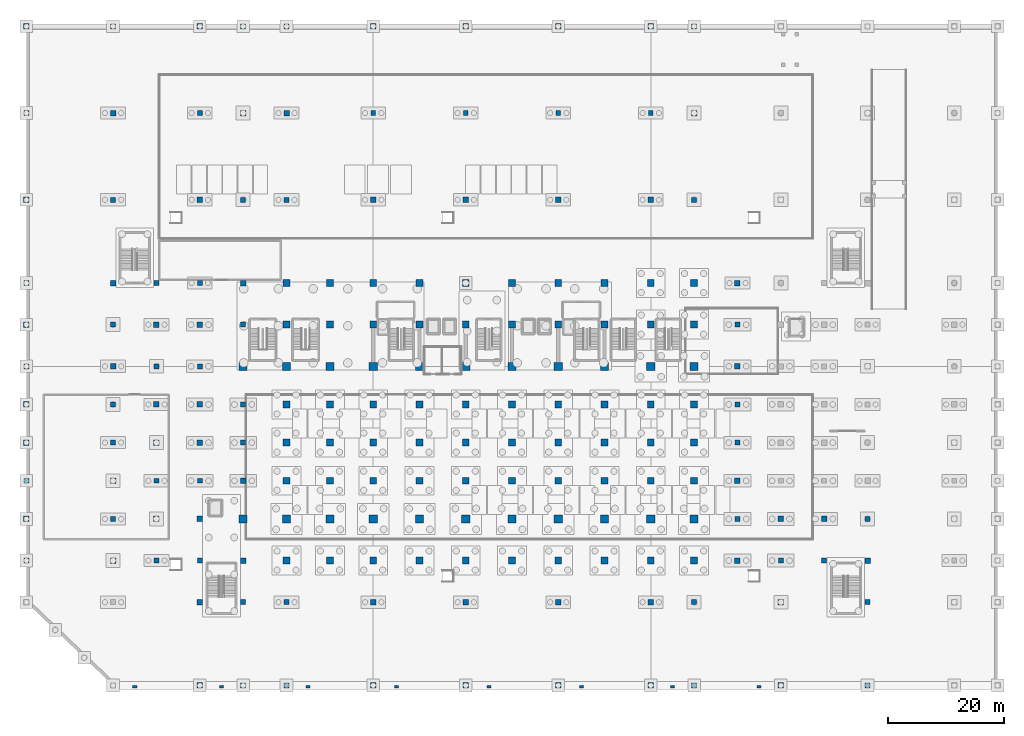
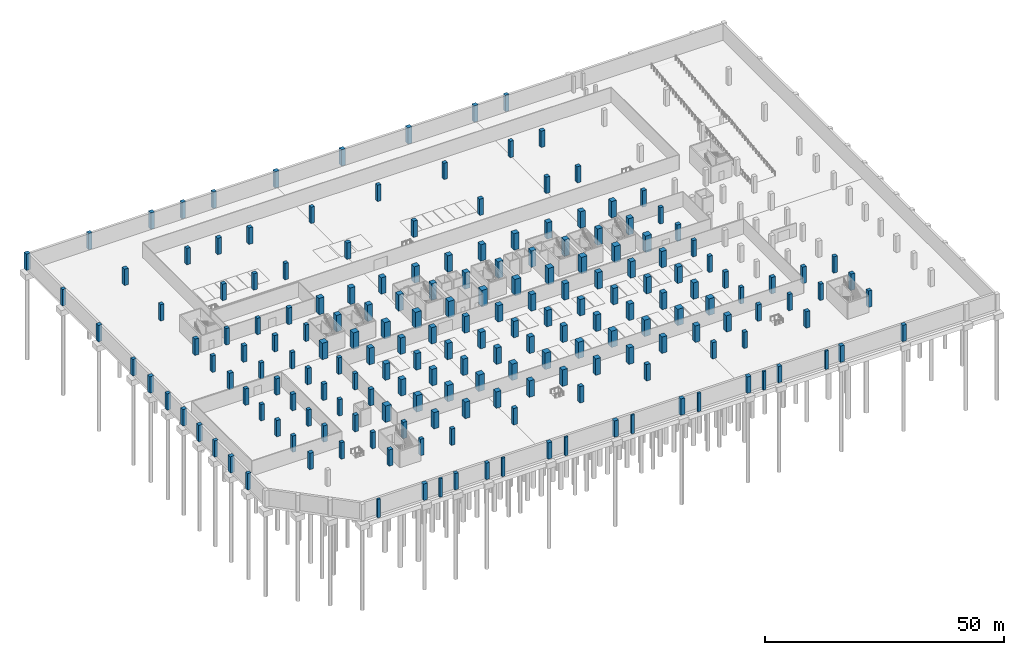
# One storey, part 5 of 26: 192 columns.
"""IFC4 building model written with IfcOpenShell, lengths in metres."""

import ifcopenshell
import ifcopenshell.guid

model = None  # the IFC model being written
_history = None  # IfcOwnerHistory: only IFC2X3 demands one
_inside = {}  # id of a spatial element -> (the spatial element, [elements in it])
_under = {}  # id of a project, library or spatial element -> (it, [spatial elements below it])
_declared = {}  # id of a project -> (the project, [libraries it declares])
_typed = {}  # id of a type object -> (the type object, [elements of that type])
_made_of = {}  # id of a material, layer set ... -> (it, [elements and type objects made of it])


def new_model(schema):
    """Start an empty IFC model of exactly this schema.

    Asked for "IFC4X3", IfcOpenShell would pick the latest addendum, in which some entities
    have other attributes; the version numbers below select the first issue.
    IFC2X3 requires an IfcOwnerHistory on every rooted entity: one is made here for all.
    """
    global model, _history
    if schema == "IFC4X3":
        model = ifcopenshell.file(schema_version=(4, 3, 0, 0))
    else:
        model = ifcopenshell.file(schema=schema)
    _inside.clear()
    _under.clear()
    _declared.clear()
    _typed.clear()
    _made_of.clear()
    _history = None
    if model.schema == "IFC2X3":
        org = make("IfcOrganization", Name="unknown")
        user = make(
            "IfcPersonAndOrganization",
            ThePerson=make("IfcPerson", FamilyName="unknown"),
            TheOrganization=org,
        )
        app = make(
            "IfcApplication",
            ApplicationDeveloper=org,
            Version="unknown",
            ApplicationFullName="unknown",
            ApplicationIdentifier="unknown",
        )
        _history = make(
            "IfcOwnerHistory",
            OwningUser=user,
            OwningApplication=app,
            ChangeAction="ADDED",
            CreationDate=0,
        )
    return model


def make(cls, **values):
    """One entity of the class cls with the attributes given. An attribute that is None is left unset."""
    return model.create_entity(
        cls, **{name: value for name, value in values.items() if value is not None}
    )


def rooted(cls, **values):
    """An entity with a GlobalId (a new one), such as an element, a storey or a relation."""
    return make(cls, GlobalId=ifcopenshell.guid.new(), OwnerHistory=_history, **values)


def si_unit(unit_type, name, prefix=None):
    """IfcSIUnit, for example si_unit("LENGTHUNIT", "METRE", prefix="MILLI")."""
    return make("IfcSIUnit", UnitType=unit_type, Prefix=prefix, Name=name)


def assignment(units):
    """IfcUnitAssignment: the units of a project."""
    return None if units is None else make("IfcUnitAssignment", Units=units)


def point(xyz):
    """IfcCartesianPoint."""
    return None if xyz is None else make("IfcCartesianPoint", Coordinates=xyz)


def direction(xyz):
    """IfcDirection."""
    return None if xyz is None else make("IfcDirection", DirectionRatios=xyz)


def frame(location, z_axis=None, x_axis=None):
    """IfcAxis2Placement3D, a coordinate frame: its origin and axes. An axis left out is left unset."""
    return make(
        "IfcAxis2Placement3D",
        Location=point(location),
        Axis=direction(z_axis),
        RefDirection=direction(x_axis),
    )


def frame_2d(location, x_axis=None):
    """IfcAxis2Placement2D, a coordinate frame in the plane: its origin and x axis."""
    return make(
        "IfcAxis2Placement2D", Location=point(location), RefDirection=direction(x_axis)
    )


def origin():
    """The frame at (0, 0, 0) with its axes left unset."""
    return frame((0.0, 0.0, 0.0))


def origin_2d():
    """The frame at (0, 0) in the plane with its x axis left unset."""
    return frame_2d((0.0, 0.0))


def place(relative_to, where):
    """IfcLocalPlacement: puts the frame where relative to a parent placement (None: the world)."""
    return make(
        "IfcLocalPlacement", PlacementRelTo=relative_to, RelativePlacement=where
    )


def context(
    kind, dimensions, precision=None, world=None, true_north=None, identifier=None
):
    """IfcGeometricRepresentationContext, for example the 3D "Model" context."""
    return make(
        "IfcGeometricRepresentationContext",
        ContextIdentifier=identifier,
        ContextType=kind,
        CoordinateSpaceDimension=dimensions,
        Precision=precision,
        WorldCoordinateSystem=world,
        TrueNorth=true_north,
    )


def subcontext(parent, identifier, kind, view, scale=None):
    """IfcGeometricRepresentationSubContext, for example "Body" below "Model"."""
    return make(
        "IfcGeometricRepresentationSubContext",
        ContextIdentifier=identifier,
        ContextType=kind,
        ParentContext=parent,
        TargetScale=scale,
        TargetView=view,
    )


def project(units=None, contexts=None):
    """IfcProject with its units and contexts."""
    return rooted(
        "IfcProject",
        Name="project",
        RepresentationContexts=contexts,
        UnitsInContext=assignment(units),
    )


def spatial(cls, under=None, at=None, **own):
    """A site, building, storey or space (cls), placed at a placement, below another one or the project."""
    s = rooted(cls, ObjectPlacement=at, **own)
    if under is not None:
        _under.setdefault(under.id(), (under, []))[1].append(s)
    return s


def profile(cls, at=None, kind="AREA", **sizes):
    """A parametric profile (cls). Its sizes go by their IFC names, for example OverallWidth=200.0."""
    return make(cls, ProfileType=kind, Position=at, **sizes)


def rectangle(**sizes):
    """IfcRectangleProfileDef."""
    return profile("IfcRectangleProfileDef", **sizes)


def extrude(swept, where, along, depth):
    """IfcExtrudedAreaSolid: the profile swept, set in the frame where, extruded along a direction by depth."""
    return make(
        "IfcExtrudedAreaSolid",
        SweptArea=swept,
        Position=where,
        ExtrudedDirection=direction(along),
        Depth=depth,
    )


def shape(context_of_items, identifier, shape_type, items):
    """IfcShapeRepresentation: the items that make up one representation, for example the "Body"."""
    return make(
        "IfcShapeRepresentation",
        ContextOfItems=context_of_items,
        RepresentationIdentifier=identifier,
        RepresentationType=shape_type,
        Items=items,
    )


def material(Name=None, Category=None):
    """IfcMaterial."""
    return make("IfcMaterial", Name=Name, Category=Category)


def material_profile(
    of_material, cross_section, Name=None, Category=None, Priority=None
):
    """IfcMaterialProfile: a cross section and its material."""
    return make(
        "IfcMaterialProfile",
        Name=Name,
        Material=of_material,
        Profile=cross_section,
        Priority=Priority,
        Category=Category,
    )


def profile_set(profiles, Name=None, composite=None):
    """IfcMaterialProfileSet."""
    return make(
        "IfcMaterialProfileSet",
        Name=Name,
        MaterialProfiles=profiles,
        CompositeProfile=composite,
    )


def made_of(thing, what):
    """Note that an element or type object is made of a material, layer set ...; save() writes the relation."""
    if what is not None:
        _made_of.setdefault(what.id(), (what, []))[1].append(thing)
    return thing


def type_object(cls, material=None, **own):
    """A type object (cls), such as IfcWallType, which elements share."""
    return made_of(rooted(cls, **own), material)


def element(
    cls,
    number,
    at=None,
    inside=None,
    cuts=None,
    type_object=None,
    material=None,
    context=None,
    identifier="Body",
    shape_type=None,
    held_by="IfcProductDefinitionShape",
    body=None,
    shapes=None,
    **own,
):
    """One element of the class cls, such as IfcWall. Its Tag is "e" and its number.

    at: its placement. inside: the storey or other place that contains it. cuts: it is an
    opening in that element (IfcRelVoidsElement). A single representation is given by context,
    identifier, shape_type and body (its items); several are given by shapes. held_by: the class
    of the entity that holds the representations. save() writes the other relations.
    """
    e = rooted(cls, Tag="e%d" % number, ObjectPlacement=at, **own)
    if body is not None:
        shapes = [shape(context, identifier, shape_type, body)]
    if shapes is not None:
        e.Representation = make(held_by, Representations=shapes)
    if inside is not None:
        _inside.setdefault(inside.id(), (inside, []))[1].append(e)
    if cuts is not None:
        rooted(
            "IfcRelVoidsElement", RelatingBuildingElement=cuts, RelatedOpeningElement=e
        )
    if type_object is not None:
        _typed.setdefault(type_object.id(), (type_object, []))[1].append(e)
    return made_of(e, material)


def aggregate(whole, parts):
    """IfcRelAggregates: a whole, such as a stair, and the parts it consists of."""
    return rooted("IfcRelAggregates", RelatingObject=whole, RelatedObjects=parts)


def save(model, path):
    """Write the relations noted so far, then the file.

    IfcRelAggregates (storeys below a building ...), IfcRelContainedInSpatialStructure (elements
    in a storey), IfcRelDefinesByType, IfcRelAssociatesMaterial and IfcRelDeclares: one each for
    every whole, place, type object, material and project.
    """
    for whole, parts in _under.values():
        aggregate(whole, parts)
    for where, things in _inside.values():
        rooted(
            "IfcRelContainedInSpatialStructure",
            RelatedElements=things,
            RelatingStructure=where,
        )
    for kind, things in _typed.values():
        rooted("IfcRelDefinesByType", RelatedObjects=things, RelatingType=kind)
    for what, things in _made_of.values():
        rooted("IfcRelAssociatesMaterial", RelatedObjects=things, RelatingMaterial=what)
    for by, libraries in _declared.values():
        rooted("IfcRelDeclares", RelatingContext=by, RelatedDefinitions=libraries)
    model.write(path)


model = new_model("IFC4")

# Units and contexts
model_context = context("Model", 3, precision=1e-05, world=origin(), true_north=direction((0.0, 1.0)))
body_context = subcontext(model_context, "Body", "Model", "MODEL_VIEW")
ifc_project = project(units=[si_unit("LENGTHUNIT", "METRE"), si_unit("AREAUNIT", "SQUARE_METRE"), si_unit("VOLUMEUNIT", "CUBIC_METRE"), si_unit("PLANEANGLEUNIT", "RADIAN"), si_unit("MASSUNIT", "GRAM", prefix="KILO")], contexts=[model_context])

# Site, building, storey
site_placement = place(None, origin())
site = spatial("IfcSite", under=ifc_project, at=site_placement, CompositionType="ELEMENT")
building_placement = place(site_placement, origin())
building = spatial("IfcBuilding", under=site, at=building_placement, Name="Akrevak Sports Hall", CompositionType="ELEMENT")
storey_placement = place(building_placement, frame((0.0, 0.0, -9.0)))
storey = spatial("IfcBuildingStorey", under=building, at=storey_placement, Name="B02", CompositionType="ELEMENT", Elevation=-9.0)

# Columns
ifc_material_1 = material(Name="Concrete C50/60", Category="concrete")
ifc_material_profile_1 = material_profile(ifc_material_1, rectangle(XDim=1.199951171875, YDim=1.199951171875, at=origin_2d()), Name="RC 1200x1200", Category="concrete")
ifc_profile_set_1 = profile_set([ifc_material_profile_1], Name="Concrete C50/60")
column_type_1 = type_object("IfcColumnType", Name="STR-COL-RC1200", PredefinedType="COLUMN", material=ifc_profile_set_1)
for number, where, z_axis, x_axis, name in (
    (1, (45.0, 21.60009765625, 0.0), (0.0, 0.0, 1.0), (1.0, 0.0, 0.0), "Column 7/D (B02)"),
    (2, (45.0, 35.39990234375, 0.0), (0.0, 0.0, 1.0), (1.0, 0.0, 0.0), "Column 7/F (B02)"),
    (3, (45.0, 42.0, 0.0), (0.0, 0.0, 1.0), (1.0, 0.0, 0.0), "Column 7/G (B02)"),
    (4, (45.0, 48.60009765625, 0.0), (0.0, 0.0, 1.0), (1.0, 0.0, 0.0), "Column 7/H (B02)"),
    (5, (45.0, 62.39990234375, 0.0), (0.0, 0.0, 1.0), (1.0, 0.0, 0.0), "Column 7/J (B02)"),
    (6, (45.0, 69.60009765625, 0.0), (0.0, 0.0, 1.0), (1.0, 0.0, 0.0), "Column 7/K (B02)"),
    (7, (52.5, 21.60009765625, 0.0), (0.0, 0.0, 1.0), (1.0, 0.0, 0.0), "Column 8/D (B02)"),
    (8, (52.5, 35.39990234375, 0.0), (0.0, 0.0, 1.0), (1.0, 0.0, 0.0), "Column 8/F (B02)"),
    (9, (52.5, 42.0, 0.0), (0.0, 0.0, 1.0), (1.0, 0.0, 0.0), "Column 8/G (B02)"),
    (10, (52.5, 48.60009765625, 0.0), (0.0, 0.0, 1.0), (1.0, 0.0, 0.0), "Column 8/H (B02)"),
    (11, (52.5, 62.39990234375, 0.0), (0.0, 0.0, 1.0), (1.0, 0.0, 0.0), "Column 8/J (B02)"),
    (12, (52.5, 69.60009765625, 0.0), (0.0, 0.0, 1.0), (1.0, 0.0, 0.0), "Column 8/K (B02)"),
    (13, (60.0, 21.60009765625, 0.0), (0.0, 0.0, 1.0), (1.0, 0.0, 0.0), "Column 9/D (B02)"),
    (14, (60.0, 35.39990234375, 0.0), (0.0, 0.0, 1.0), (1.0, 0.0, 0.0), "Column 9/F (B02)"),
    (15, (60.0, 42.0, 0.0), (0.0, 0.0, 1.0), (1.0, 0.0, 0.0), "Column 9/G (B02)"),
    (16, (60.0, 48.60009765625, 0.0), (0.0, 0.0, 1.0), (1.0, 0.0, 0.0), "Column 9/H (B02)"),
    (17, (60.0, 62.39990234375, 0.0), (0.0, 0.0, 1.0), (1.0, 0.0, 0.0), "Column 9/J (B02)"),
    (18, (60.0, 69.60009765625, 0.0), (0.0, 0.0, 1.0), (1.0, 0.0, 0.0), "Column 9/K (B02)"),
    (19, (68.0, 21.60009765625, 0.0), (0.0, 0.0, 1.0), (1.0, 0.0, 0.0), "Column 10/D (B02)"),
    (20, (68.0, 35.39990234375, 0.0), (0.0, 0.0, 1.0), (1.0, 0.0, 0.0), "Column 10/F (B02)"),
    (21, (68.0, 42.0, 0.0), (0.0, 0.0, 1.0), (1.0, 0.0, 0.0), "Column 10/G (B02)"),
    (22, (68.0, 48.60009765625, 0.0), (0.0, 0.0, 1.0), (1.0, 0.0, 0.0), "Column 10/H (B02)"),
    (23, (68.0, 62.39990234375, 0.0), (0.0, 0.0, 1.0), (1.0, 0.0, 0.0), "Column 10/J (B02)"),
    (24, (68.0, 69.60009765625, 0.0), (0.0, 0.0, 1.0), (1.0, 0.0, 0.0), "Column 10/K (B02)"),
    (25, (76.0, 21.60009765625, 0.0), (0.0, 0.0, 1.0), (1.0, 0.0, 0.0), "Column 11/D (B02)"),
    (26, (76.0, 35.39990234375, 0.0), (0.0, 0.0, 1.0), (1.0, 0.0, 0.0), "Column 11/F (B02)"),
    (27, (76.0, 42.0, 0.0), (0.0, 0.0, 1.0), (1.0, 0.0, 0.0), "Column 11/G (B02)"),
    (28, (76.0, 48.60009765625, 0.0), (0.0, 0.0, 1.0), (1.0, 0.0, 0.0), "Column 11/H (B02)"),
    (29, (76.0, 62.39990234375, 0.0), (0.0, 0.0, 1.0), (1.0, 0.0, 0.0), "Column 11/J (B02)"),
    (30, (76.0, 69.60009765625, 0.0), (0.0, 0.0, 1.0), (1.0, 0.0, 0.0), "Column 11/K (B02)"),
    (31, (84.0, 21.60009765625, 0.0), (0.0, 0.0, 1.0), (1.0, 0.0, 0.0), "Column 12/D (B02)"),
    (32, (84.0, 35.39990234375, 0.0), (0.0, 0.0, 1.0), (1.0, 0.0, 0.0), "Column 12/F (B02)"),
    (33, (84.0, 42.0, 0.0), (0.0, 0.0, 1.0), (1.0, 0.0, 0.0), "Column 12/G (B02)"),
    (34, (84.0, 48.60009765625, 0.0), (0.0, 0.0, 1.0), (1.0, 0.0, 0.0), "Column 12/H (B02)"),
    (35, (84.0, 62.39990234375, 0.0), (0.0, 0.0, 1.0), (1.0, 0.0, 0.0), "Column 12/J (B02)"),
    (36, (84.0, 69.60009765625, 0.0), (0.0, 0.0, 1.0), (1.0, 0.0, 0.0), "Column 12/K (B02)"),
    (37, (92.0, 21.60009765625, 0.0), (0.0, 0.0, 1.0), (1.0, 0.0, 0.0), "Column 13/D (B02)"),
    (38, (92.0, 35.39990234375, 0.0), (0.0, 0.0, 1.0), (1.0, 0.0, 0.0), "Column 13/F (B02)"),
    (39, (92.0, 42.0, 0.0), (0.0, 0.0, 1.0), (1.0, 0.0, 0.0), "Column 13/G (B02)"),
    (40, (92.0, 48.60009765625, 0.0), (0.0, 0.0, 1.0), (1.0, 0.0, 0.0), "Column 13/H (B02)"),
    (41, (92.0, 62.39990234375, 0.0), (0.0, 0.0, 1.0), (1.0, 0.0, 0.0), "Column 13/J (B02)"),
    (42, (92.0, 69.60009765625, 0.0), (0.0, 0.0, 1.0), (1.0, 0.0, 0.0), "Column 13/K (B02)"),
    (43, (100.0, 21.60009765625, 0.0), (0.0, 0.0, 1.0), (1.0, 0.0, 0.0), "Column 14/D (B02)"),
    (44, (100.0, 35.39990234375, 0.0), (0.0, 0.0, 1.0), (1.0, 0.0, 0.0), "Column 14/F (B02)"),
    (45, (100.0, 42.0, 0.0), (0.0, 0.0, 1.0), (1.0, 0.0, 0.0), "Column 14/G (B02)"),
    (46, (100.0, 48.60009765625, 0.0), (0.0, 0.0, 1.0), (1.0, 0.0, 0.0), "Column 14/H (B02)"),
    (47, (100.0, 62.39990234375, 0.0), (0.0, 0.0, 1.0), (1.0, 0.0, 0.0), "Column 14/J (B02)"),
    (48, (100.0, 69.60009765625, 0.0), (0.0, 0.0, 1.0), (1.0, 0.0, 0.0), "Column 14/K (B02)"),
    (49, (108.0, 21.60009765625, 0.0), (0.0, 0.0, 1.0), (1.0, 0.0, 0.0), "Column 15/D (B02)"),
    (50, (108.0, 35.39990234375, 0.0), (0.0, 0.0, 1.0), (1.0, 0.0, 0.0), "Column 15/F (B02)"),
    (51, (108.0, 42.0, 0.0), (0.0, 0.0, 1.0), (1.0, 0.0, 0.0), "Column 15/G (B02)"),
    (52, (108.0, 48.60009765625, 0.0), (0.0, 0.0, 1.0), (1.0, 0.0, 0.0), "Column 15/H (B02)"),
    (53, (108.0, 62.39990234375, 0.0), (0.0, 0.0, 1.0), (1.0, 0.0, 0.0), "Column 15/J (B02)"),
    (54, (108.0, 69.60009765625, 0.0), (0.0, 0.0, 1.0), (1.0, 0.0, 0.0), "Column 15/K (B02)"),
    (55, (115.5, 21.60009765625, 0.0), (0.0, 0.0, 1.0), (1.0, 0.0, 0.0), "Column 16/D (B02)"),
    (56, (115.5, 35.39990234375, 0.0), (0.0, 0.0, 1.0), (1.0, 0.0, 0.0), "Column 16/F (B02)"),
    (57, (115.5, 42.0, 0.0), (0.0, 0.0, 1.0), (1.0, 0.0, 0.0), "Column 16/G (B02)"),
    (58, (115.5, 48.60009765625, 0.0), (0.0, 0.0, 1.0), (1.0, 0.0, 0.0), "Column 16/H (B02)"),
    (59, (115.5, 62.39990234375, 0.0), (0.0, 0.0, 1.0), (1.0, 0.0, 0.0), "Column 16/J (B02)"),
    (60, (115.5, 69.60009765625, 0.0), (0.0, 0.0, 1.0), (1.0, 0.0, 0.0), "Column 16/K (B02)"),
):
    element("IfcColumn", number, at=place(storey_placement, frame(where, z_axis=z_axis, x_axis=x_axis)), inside=storey, type_object=column_type_1, Name=name, PredefinedType="COLUMN", context=body_context, shape_type="SweptSolid", body=[
        extrude(rectangle(XDim=1.199951171875, YDim=1.199951171875, at=origin_2d()), origin(), (0.0, 0.0, 1.0), 4.179931640625),
    ])
ifc_material_profile_2 = material_profile(ifc_material_1, rectangle(XDim=1.39990234375, YDim=1.39990234375, at=origin_2d()), Name="RC 1400x1400", Category="concrete")
ifc_profile_set_2 = profile_set([ifc_material_profile_2], Name="Concrete C50/60")
column_type_2 = type_object("IfcColumnType", Name="STR-COL-RC1400", PredefinedType="COLUMN", material=ifc_profile_set_2)
for number, where, z_axis, x_axis, name in (
    (61, (37.5, 28.800048828125, 0.0), (0.0, 0.0, 1.0), (1.0, 0.0, 0.0), "Column 6/E (B02)"),
    (62, (37.5, 55.199951171875, 0.0), (0.0, 0.0, 1.0), (1.0, 0.0, 0.0), "Column 6/I (B02)"),
    (63, (45.0, 28.800048828125, 0.0), (0.0, 0.0, 1.0), (1.0, 0.0, 0.0), "Column 7/E (B02)"),
    (64, (45.0, 55.199951171875, 0.0), (0.0, 0.0, 1.0), (1.0, 0.0, 0.0), "Column 7/I (B02)"),
    (65, (52.5, 28.800048828125, 0.0), (0.0, 0.0, 1.0), (1.0, 0.0, 0.0), "Column 8/E (B02)"),
    (66, (52.5, 55.199951171875, 0.0), (0.0, 0.0, 1.0), (1.0, 0.0, 0.0), "Column 8/I (B02)"),
    (67, (60.0, 28.800048828125, 0.0), (0.0, 0.0, 1.0), (1.0, 0.0, 0.0), "Column 9/E (B02)"),
    (68, (60.0, 55.199951171875, 0.0), (0.0, 0.0, 1.0), (1.0, 0.0, 0.0), "Column 9/I (B02)"),
    (69, (68.0, 28.800048828125, 0.0), (0.0, 0.0, 1.0), (1.0, 0.0, 0.0), "Column 10/E (B02)"),
    (70, (68.0, 55.199951171875, 0.0), (0.0, 0.0, 1.0), (1.0, 0.0, 0.0), "Column 10/I (B02)"),
    (71, (76.0, 28.800048828125, 0.0), (0.0, 0.0, 1.0), (1.0, 0.0, 0.0), "Column 11/E (B02)"),
    (72, (76.0, 55.199951171875, 0.0), (0.0, 0.0, 1.0), (1.0, 0.0, 0.0), "Column 11/I (B02)"),
    (73, (84.0, 28.800048828125, 0.0), (0.0, 0.0, 1.0), (1.0, 0.0, 0.0), "Column 12/E (B02)"),
    (74, (84.0, 55.199951171875, 0.0), (0.0, 0.0, 1.0), (1.0, 0.0, 0.0), "Column 12/I (B02)"),
    (75, (92.0, 28.800048828125, 0.0), (0.0, 0.0, 1.0), (1.0, 0.0, 0.0), "Column 13/E (B02)"),
    (76, (92.0, 55.199951171875, 0.0), (0.0, 0.0, 1.0), (1.0, 0.0, 0.0), "Column 13/I (B02)"),
    (77, (100.0, 28.800048828125, 0.0), (0.0, 0.0, 1.0), (1.0, 0.0, 0.0), "Column 14/E (B02)"),
    (78, (100.0, 55.199951171875, 0.0), (0.0, 0.0, 1.0), (1.0, 0.0, 0.0), "Column 14/I (B02)"),
    (79, (108.0, 28.800048828125, 0.0), (0.0, 0.0, 1.0), (1.0, 0.0, 0.0), "Column 15/E (B02)"),
    (80, (108.0, 55.199951171875, 0.0), (0.0, 0.0, 1.0), (1.0, 0.0, 0.0), "Column 15/I (B02)"),
    (81, (115.5, 28.800048828125, 0.0), (0.0, 0.0, 1.0), (1.0, 0.0, 0.0), "Column 16/E (B02)"),
    (82, (115.5, 55.199951171875, 0.0), (0.0, 0.0, 1.0), (1.0, 0.0, 0.0), "Column 16/I (B02)"),
):
    element("IfcColumn", number, at=place(storey_placement, frame(where, z_axis=z_axis, x_axis=x_axis)), inside=storey, type_object=column_type_2, Name=name, PredefinedType="COLUMN", context=body_context, shape_type="SweptSolid", body=[
        extrude(rectangle(XDim=1.39990234375, YDim=1.39990234375, at=origin_2d()), origin(), (0.0, 0.0, 1.0), 4.179931640625),
    ])
ifc_material_2 = material(Name="Concrete C40/50", Category="concrete")
ifc_material_profile_3 = material_profile(ifc_material_2, rectangle(XDim=0.85009765625, YDim=0.85009765625, at=origin_2d()), Name="RC 850x850", Category="concrete")
ifc_profile_set_3 = profile_set([ifc_material_profile_3], Name="Concrete C40/50")
column_type_3 = type_object("IfcColumnType", Name="STR-COL-RC850", PredefinedType="COLUMN", material=ifc_profile_set_3)
for number, where, z_axis, x_axis, name in (
    (83, (0.0, 21.60009765625, 0.0), (0.0, 0.0, 1.0), (1.0, 0.0, 0.0), "Column 1/D (B02)"),
    (84, (0.0, 35.39990234375, 0.0), (0.0, 0.0, 1.0), (1.0, 0.0, 0.0), "Column 1/F (B02)"),
    (85, (0.0, 55.199951171875, 0.0), (0.0, 0.0, 1.0), (1.0, 0.0, 0.0), "Column 1/I (B02)"),
    (86, (0.0, 69.60009765625, 0.0), (0.0, 0.0, 1.0), (1.0, 0.0, 0.0), "Column 1/K (B02)"),
    (87, (0.0, 99.0, 0.0), (0.0, 0.0, 1.0), (1.0, 0.0, 0.0), "Column 1/O (B02)"),
    (88, (15.0, 28.800048828125, 0.0), (0.0, 0.0, 1.0), (1.0, 0.0, 0.0), "Column 3/E (B02)"),
    (89, (15.0, 42.0, 0.0), (0.0, 0.0, 1.0), (1.0, 0.0, 0.0), "Column 3/G (B02)"),
    (90, (15.0, 48.60009765625, 0.0), (0.0, 0.0, 1.0), (1.0, 0.0, 0.0), "Column 3/H (B02)"),
    (91, (15.0, 62.39990234375, 0.0), (0.0, 0.0, 1.0), (1.0, 0.0, 0.0), "Column 3/J (B02)"),
    (92, (15.0, 84.0, 0.0), (0.0, 0.0, 1.0), (1.0, 0.0, 0.0), "Column 3/M (B02)"),
    (93, (15.0, 114.0, 0.0), (0.0, 0.0, 1.0), (1.0, 0.0, 0.0), "Column 3/Q (B02)"),
    (94, (22.5, 21.60009765625, 0.0), (0.0, 0.0, 1.0), (1.0, 0.0, 0.0), "Column 4/D (B02)"),
    (95, (22.5, 35.39990234375, 0.0), (0.0, 0.0, 1.0), (1.0, 0.0, 0.0), "Column 4/F (B02)"),
    (96, (22.5, 55.199951171875, 0.0), (0.0, 0.0, 1.0), (1.0, 0.0, 0.0), "Column 4/I (B02)"),
    (97, (22.5, 69.60009765625, 0.0), (0.0, 0.0, 1.0), (1.0, 0.0, 0.0), "Column 4/K (B02)"),
    (98, (30.0, 21.60009765625, 0.0), (0.0, 0.0, 1.0), (1.0, 0.0, 0.0), "Column 5/D (B02)"),
    (99, (30.0, 35.39990234375, 0.0), (0.0, 0.0, 1.0), (1.0, 0.0, 0.0), "Column 5/F (B02)"),
    (100, (30.0, 55.199951171875, 0.0), (0.0, 0.0, 1.0), (1.0, 0.0, 0.0), "Column 5/I (B02)"),
    (101, (30.0, 69.60009765625, 0.0), (0.0, 0.0, 1.0), (1.0, 0.0, 0.0), "Column 5/K (B02)"),
    (102, (30.0, 99.0, 0.0), (0.0, 0.0, 1.0), (1.0, 0.0, 0.0), "Column 5/O (B02)"),
    (103, (37.5, 0.0, 0.0), (0.0, 0.0, 1.0), (1.0, 0.0, 0.0), "Column 6/A (B02)"),
    (104, (37.5, 14.39990234375, 0.0), (0.0, 0.0, 1.0), (1.0, 0.0, 0.0), "Column 6/C (B02)"),
    (105, (37.5, 42.0, 0.0), (0.0, 0.0, 1.0), (1.0, 0.0, 0.0), "Column 6/G (B02)"),
    (106, (37.5, 48.60009765625, 0.0), (0.0, 0.0, 1.0), (1.0, 0.0, 0.0), "Column 6/H (B02)"),
    (107, (37.5, 62.39990234375, 0.0), (0.0, 0.0, 1.0), (1.0, 0.0, 0.0), "Column 6/J (B02)"),
    (108, (37.5, 84.0, 0.0), (0.0, 0.0, 1.0), (1.0, 0.0, 0.0), "Column 6/M (B02)"),
    (109, (37.5, 114.0, 0.0), (0.0, 0.0, 1.0), (1.0, 0.0, 0.0), "Column 6/Q (B02)"),
    (110, (45.0, 0.0, 0.0), (0.0, 0.0, 1.0), (1.0, 0.0, 0.0), "Column 7/A (B02)"),
    (111, (45.0, 14.39990234375, 0.0), (0.0, 0.0, 1.0), (1.0, 0.0, 0.0), "Column 7/C (B02)"),
    (112, (45.0, 84.0, 0.0), (0.0, 0.0, 1.0), (1.0, 0.0, 0.0), "Column 7/M (B02)"),
    (113, (45.0, 114.0, 0.0), (0.0, 0.0, 1.0), (1.0, 0.0, 0.0), "Column 7/Q (B02)"),
    (114, (60.0, 99.0, 0.0), (0.0, 0.0, 1.0), (1.0, 0.0, 0.0), "Column 9/O (B02)"),
    (115, (76.0, 99.0, 0.0), (0.0, 0.0, 1.0), (1.0, 0.0, 0.0), "Column 11/O (B02)"),
    (116, (92.0, 99.0, 0.0), (0.0, 0.0, 1.0), (1.0, 0.0, 0.0), "Column 13/O (B02)"),
    (117, (108.0, 99.0, 0.0), (0.0, 0.0, 1.0), (1.0, 0.0, 0.0), "Column 15/O (B02)"),
    (118, (115.5, 0.0, 0.0), (0.0, 0.0, 1.0), (1.0, 0.0, 0.0), "Column 16/A (B02)"),
    (119, (115.5, 14.39990234375, 0.0), (0.0, 0.0, 1.0), (1.0, 0.0, 0.0), "Column 16/C (B02)"),
    (120, (115.5, 84.0, 0.0), (0.0, 0.0, 1.0), (1.0, 0.0, 0.0), "Column 16/M (B02)"),
    (121, (115.5, 114.0, 0.0), (0.0, 0.0, 1.0), (1.0, 0.0, 0.0), "Column 16/Q (B02)"),
    (122, (123.0, 28.800048828125, 0.0), (0.0, 0.0, 1.0), (1.0, 0.0, 0.0), "Column 17/E (B02)"),
    (123, (123.0, 42.0, 0.0), (0.0, 0.0, 1.0), (1.0, 0.0, 0.0), "Column 17/G (B02)"),
    (124, (123.0, 48.60009765625, 0.0), (0.0, 0.0, 1.0), (1.0, 0.0, 0.0), "Column 17/H (B02)"),
    (125, (123.0, 62.39990234375, 0.0), (0.0, 0.0, 1.0), (1.0, 0.0, 0.0), "Column 17/J (B02)"),
    (126, (130.5, 21.60009765625, 0.0), (0.0, 0.0, 1.0), (1.0, 0.0, 0.0), "Column 18/D (B02)"),
    (127, (138.0, 21.60009765625, 0.0), (0.0, 0.0, 1.0), (1.0, 0.0, 0.0), "Column 19/D (B02)"),
    (128, (145.5, 0.0, 0.0), (0.0, 0.0, 1.0), (1.0, 0.0, 0.0), "Column 20/A (B02)"),
    (129, (145.5, 14.39990234375, 0.0), (0.0, 0.0, 1.0), (1.0, 0.0, 0.0), "Column 20/C (B02)"),
    (130, (145.5, 28.800048828125, 0.0), (0.0, 0.0, 1.0), (1.0, 0.0, 0.0), "Column 20/E (B02)"),
):
    element("IfcColumn", number, at=place(storey_placement, frame(where, z_axis=z_axis, x_axis=x_axis)), inside=storey, type_object=column_type_3, Name=name, PredefinedType="COLUMN", context=body_context, shape_type="SweptSolid", body=[
        extrude(rectangle(XDim=0.85009765625, YDim=0.85009765625, at=origin_2d()), origin(), (0.0, 0.0, 1.0), 4.179931640625),
    ])
ifc_material_profile_4 = material_profile(ifc_material_1, rectangle(XDim=0.949951171875, YDim=0.949951171875, at=origin_2d()), Name="RC 950x950", Category="concrete")
ifc_profile_set_4 = profile_set([ifc_material_profile_4], Name="Concrete C50/60")
column_type_4 = type_object("IfcColumnType", Name="STR-COL-RC950", PredefinedType="COLUMN", material=ifc_profile_set_4)
for number, where, z_axis, x_axis, name in (
    (131, (0.0, 28.800048828125, 0.0), (0.0, 0.0, 1.0), (1.0, 0.0, 0.0), "Column 1/E (B02)"),
    (132, (0.0, 42.0, 0.0), (0.0, 0.0, 1.0), (1.0, 0.0, 0.0), "Column 1/G (B02)"),
    (133, (0.0, 48.60009765625, 0.0), (0.0, 0.0, 1.0), (1.0, 0.0, 0.0), "Column 1/H (B02)"),
    (134, (0.0, 62.39990234375, 0.0), (0.0, 0.0, 1.0), (1.0, 0.0, 0.0), "Column 1/J (B02)"),
    (135, (0.0, 84.0, 0.0), (0.0, 0.0, 1.0), (1.0, 0.0, 0.0), "Column 1/M (B02)"),
    (136, (0.0, 114.0, 0.0), (0.0, 0.0, 1.0), (1.0, 0.0, 0.0), "Column 1/Q (B02)"),
    (137, (15.0, 21.60009765625, 0.0), (0.0, 0.0, 1.0), (1.0, 0.0, 0.0), "Column 3/D (B02)"),
    (138, (15.0, 35.39990234375, 0.0), (0.0, 0.0, 1.0), (1.0, 0.0, 0.0), "Column 3/F (B02)"),
    (139, (15.0, 55.199951171875, 0.0), (0.0, 0.0, 1.0), (1.0, 0.0, 0.0), "Column 3/I (B02)"),
    (140, (15.0, 69.60009765625, 0.0), (0.0, 0.0, 1.0), (1.0, 0.0, 0.0), "Column 3/K (B02)"),
    (141, (15.0, 99.0, 0.0), (0.0, 0.0, 1.0), (1.0, 0.0, 0.0), "Column 3/O (B02)"),
    (142, (22.5, 28.800048828125, 0.0), (0.0, 0.0, 1.0), (1.0, 0.0, 0.0), "Column 4/E (B02)"),
    (143, (22.5, 42.0, 0.0), (0.0, 0.0, 1.0), (1.0, 0.0, 0.0), "Column 4/G (B02)"),
    (144, (22.5, 48.60009765625, 0.0), (0.0, 0.0, 1.0), (1.0, 0.0, 0.0), "Column 4/H (B02)"),
    (145, (22.5, 62.39990234375, 0.0), (0.0, 0.0, 1.0), (1.0, 0.0, 0.0), "Column 4/J (B02)"),
    (146, (30.0, 0.0, 0.0), (0.0, 0.0, 1.0), (1.0, 0.0, 0.0), "Column 5/A (B02)"),
    (147, (30.0, 14.39990234375, 0.0), (0.0, 0.0, 1.0), (1.0, 0.0, 0.0), "Column 5/C (B02)"),
    (148, (30.0, 28.800048828125, 0.0), (0.0, 0.0, 1.0), (1.0, 0.0, 0.0), "Column 5/E (B02)"),
    (149, (30.0, 42.0, 0.0), (0.0, 0.0, 1.0), (1.0, 0.0, 0.0), "Column 5/G (B02)"),
    (150, (30.0, 48.60009765625, 0.0), (0.0, 0.0, 1.0), (1.0, 0.0, 0.0), "Column 5/H (B02)"),
    (151, (30.0, 62.39990234375, 0.0), (0.0, 0.0, 1.0), (1.0, 0.0, 0.0), "Column 5/J (B02)"),
    (152, (30.0, 84.0, 0.0), (0.0, 0.0, 1.0), (1.0, 0.0, 0.0), "Column 5/M (B02)"),
    (153, (30.0, 114.0, 0.0), (0.0, 0.0, 1.0), (1.0, 0.0, 0.0), "Column 5/Q (B02)"),
    (154, (37.5, 21.60009765625, 0.0), (0.0, 0.0, 1.0), (1.0, 0.0, 0.0), "Column 6/D (B02)"),
    (155, (37.5, 35.39990234375, 0.0), (0.0, 0.0, 1.0), (1.0, 0.0, 0.0), "Column 6/F (B02)"),
    (156, (37.5, 69.60009765625, 0.0), (0.0, 0.0, 1.0), (1.0, 0.0, 0.0), "Column 6/K (B02)"),
    (157, (37.5, 99.0, 0.0), (0.0, 0.0, 1.0), (1.0, 0.0, 0.0), "Column 6/O (B02)"),
    (158, (45.0, 99.0, 0.0), (0.0, 0.0, 1.0), (1.0, 0.0, 0.0), "Column 7/O (B02)"),
    (159, (60.0, 0.0, 0.0), (0.0, 0.0, 1.0), (1.0, 0.0, 0.0), "Column 9/A (B02)"),
    (160, (60.0, 14.39990234375, 0.0), (0.0, 0.0, 1.0), (1.0, 0.0, 0.0), "Column 9/C (B02)"),
    (161, (60.0, 84.0, 0.0), (0.0, 0.0, 1.0), (1.0, 0.0, 0.0), "Column 9/M (B02)"),
    (162, (60.0, 114.0, 0.0), (0.0, 0.0, 1.0), (1.0, 0.0, 0.0), "Column 9/Q (B02)"),
    (163, (76.0, 0.0, 0.0), (0.0, 0.0, 1.0), (1.0, 0.0, 0.0), "Column 11/A (B02)"),
    (164, (76.0, 14.39990234375, 0.0), (0.0, 0.0, 1.0), (1.0, 0.0, 0.0), "Column 11/C (B02)"),
    (165, (76.0, 84.0, 0.0), (0.0, 0.0, 1.0), (1.0, 0.0, 0.0), "Column 11/M (B02)"),
    (166, (76.0, 114.0, 0.0), (0.0, 0.0, 1.0), (1.0, 0.0, 0.0), "Column 11/Q (B02)"),
    (167, (92.0, 0.0, 0.0), (0.0, 0.0, 1.0), (1.0, 0.0, 0.0), "Column 13/A (B02)"),
    (168, (92.0, 14.39990234375, 0.0), (0.0, 0.0, 1.0), (1.0, 0.0, 0.0), "Column 13/C (B02)"),
    (169, (92.0, 84.0, 0.0), (0.0, 0.0, 1.0), (1.0, 0.0, 0.0), "Column 13/M (B02)"),
    (170, (92.0, 114.0, 0.0), (0.0, 0.0, 1.0), (1.0, 0.0, 0.0), "Column 13/Q (B02)"),
    (171, (108.0, 0.0, 0.0), (0.0, 0.0, 1.0), (1.0, 0.0, 0.0), "Column 15/A (B02)"),
    (172, (108.0, 14.39990234375, 0.0), (0.0, 0.0, 1.0), (1.0, 0.0, 0.0), "Column 15/C (B02)"),
    (173, (108.0, 84.0, 0.0), (0.0, 0.0, 1.0), (1.0, 0.0, 0.0), "Column 15/M (B02)"),
    (174, (108.0, 114.0, 0.0), (0.0, 0.0, 1.0), (1.0, 0.0, 0.0), "Column 15/Q (B02)"),
    (175, (115.5, 99.0, 0.0), (0.0, 0.0, 1.0), (1.0, 0.0, 0.0), "Column 16/O (B02)"),
    (176, (123.0, 21.60009765625, 0.0), (0.0, 0.0, 1.0), (1.0, 0.0, 0.0), "Column 17/D (B02)"),
    (177, (123.0, 35.39990234375, 0.0), (0.0, 0.0, 1.0), (1.0, 0.0, 0.0), "Column 17/F (B02)"),
    (178, (123.0, 55.199951171875, 0.0), (0.0, 0.0, 1.0), (1.0, 0.0, 0.0), "Column 17/I (B02)"),
    (179, (123.0, 69.60009765625, 0.0), (0.0, 0.0, 1.0), (1.0, 0.0, 0.0), "Column 17/K (B02)"),
    (180, (130.5, 0.0, 0.0), (0.0, 0.0, 1.0), (1.0, 0.0, 0.0), "Column 18/A (B02)"),
    (181, (130.5, 14.39990234375, 0.0), (0.0, 0.0, 1.0), (1.0, 0.0, 0.0), "Column 18/C (B02)"),
    (182, (130.5, 28.800048828125, 0.0), (0.0, 0.0, 1.0), (1.0, 0.0, 0.0), "Column 18/E (B02)"),
    (183, (138.0, 28.800048828125, 0.0), (0.0, 0.0, 1.0), (1.0, 0.0, 0.0), "Column 19/E (B02)"),
    (184, (145.5, 21.60009765625, 0.0), (0.0, 0.0, 1.0), (1.0, 0.0, 0.0), "Column 20/D (B02)"),
):
    element("IfcColumn", number, at=place(storey_placement, frame(where, z_axis=z_axis, x_axis=x_axis)), inside=storey, type_object=column_type_4, Name=name, PredefinedType="COLUMN", context=body_context, shape_type="SweptSolid", body=[
        extrude(rectangle(XDim=0.949951171875, YDim=0.949951171875, at=origin_2d()), origin(), (0.0, 0.0, 1.0), 4.179931640625),
    ])
ifc_material_profile_5 = material_profile(ifc_material_2, rectangle(XDim=0.699951171875, YDim=0.449951171875, at=origin_2d()), Name="PIL 700x450", Category="concrete")
ifc_profile_set_5 = profile_set([ifc_material_profile_5], Name="Concrete C40/50")
column_type_5 = type_object("IfcColumnType", Name="STR-PIL-700x450", PredefinedType="PILASTER", material=ifc_profile_set_5)
for number, where, z_axis, x_axis, name in (
    (185, (18.75, -0.260009765625, -0.550048828125), (0.0, 0.0, 1.0), (1.0, 0.0, 0.0), "Beaux-Arts Pilaster S01 (B02)"),
    (186, (33.75, -0.260009765625, -0.550048828125), (0.0, 0.0, 1.0), (1.0, 0.0, 0.0), "Beaux-Arts Pilaster S02 (B02)"),
    (187, (48.75, -0.260009765625, -0.550048828125), (0.0, 0.0, 1.0), (1.0, 0.0, 0.0), "Beaux-Arts Pilaster S03 (B02)"),
    (188, (64.0, -0.260009765625, -0.550048828125), (0.0, 0.0, 1.0), (1.0, 0.0, 0.0), "Beaux-Arts Pilaster S04 (B02)"),
    (189, (80.0, -0.260009765625, -0.550048828125), (0.0, 0.0, 1.0), (1.0, 0.0, 0.0), "Beaux-Arts Pilaster S05 (B02)"),
    (190, (96.0, -0.260009765625, -0.550048828125), (0.0, 0.0, 1.0), (1.0, 0.0, 0.0), "Beaux-Arts Pilaster S06 (B02)"),
    (191, (111.75, -0.260009765625, -0.550048828125), (0.0, 0.0, 1.0), (1.0, 0.0, 0.0), "Beaux-Arts Pilaster S07 (B02)"),
    (192, (126.75, -0.260009765625, -0.550048828125), (0.0, 0.0, 1.0), (1.0, 0.0, 0.0), "Beaux-Arts Pilaster S08 (B02)"),
):
    element("IfcColumn", number, at=place(storey_placement, frame(where, z_axis=z_axis, x_axis=x_axis)), inside=storey, type_object=column_type_5, Name=name, PredefinedType="PILASTER", context=body_context, shape_type="SweptSolid", body=[
        extrude(rectangle(XDim=0.699951171875, YDim=0.449951171875, at=origin_2d()), origin(), (0.0, 0.0, 1.0), 4.72998046875),
    ])

save(model, "model.ifc")
